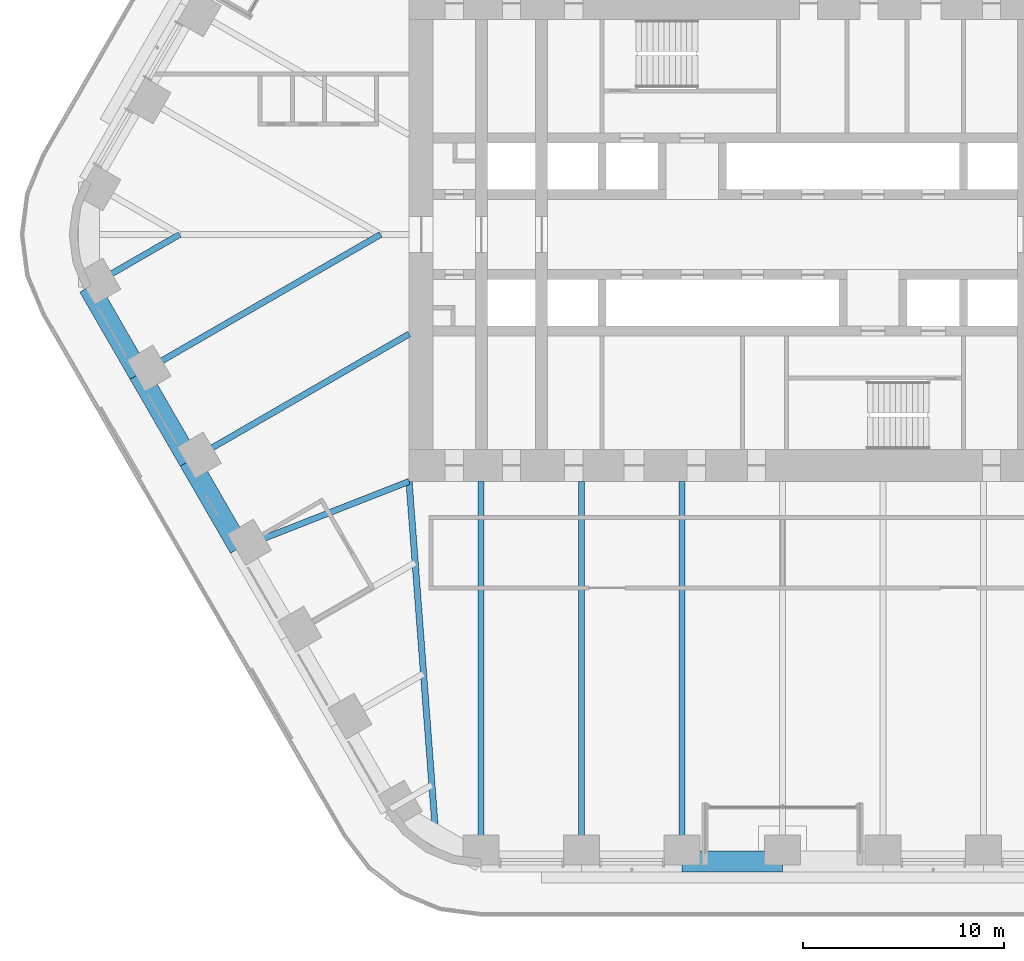
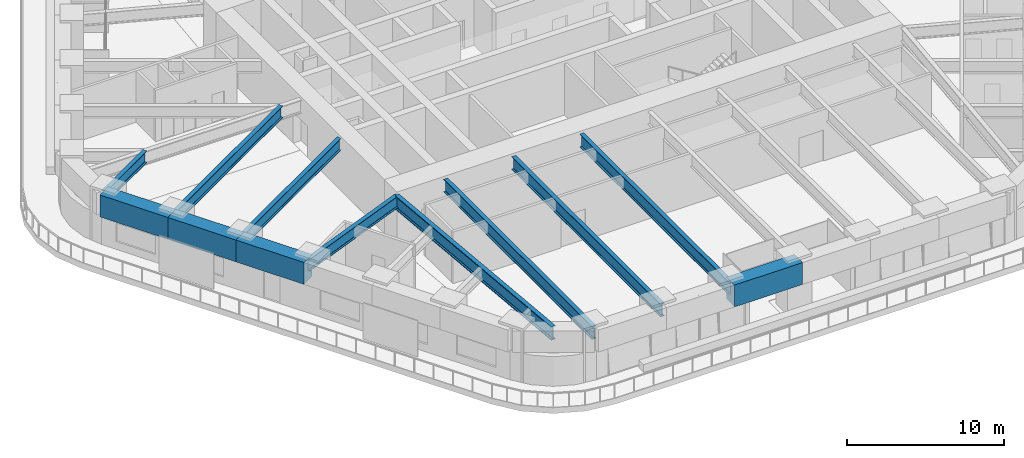
# One storey, part 3 of 24: 12 beams.
"""IFC4 building model written with IfcOpenShell, lengths in metres."""

from ifc_helpers import new_model, si_unit, direction, frame, origin, origin_2d, place, context, subcontext, project, spatial, rectangle, i_section, extrude, material, material_profile, profile_set, type_object, element, save


model = new_model("IFC4")

# Units and contexts
model_context = context("Model", 3, precision=1e-05, world=origin(), true_north=direction((0.0, 1.0)))
body_context = subcontext(model_context, "Body", "Model", "MODEL_VIEW")
ifc_project = project(units=[si_unit("LENGTHUNIT", "METRE"), si_unit("AREAUNIT", "SQUARE_METRE"), si_unit("VOLUMEUNIT", "CUBIC_METRE"), si_unit("PLANEANGLEUNIT", "RADIAN"), si_unit("MASSUNIT", "GRAM", prefix="KILO")], contexts=[model_context])

# Site, building, storey
site_placement = place(None, origin())
site = spatial("IfcSite", under=ifc_project, at=site_placement, CompositionType="ELEMENT")
building_placement = place(site_placement, origin())
building = spatial("IfcBuilding", under=site, at=building_placement, Name="Tarfa Lantern Tower", CompositionType="ELEMENT")
storey_placement = place(building_placement, frame((0.0, 0.0, 123.699951171875)))
storey = spatial("IfcBuildingStorey", under=building, at=storey_placement, Name="L27", CompositionType="ELEMENT", Elevation=123.699951171875)

# Beams
ifc_material_1 = material(Name="Concrete C80/95", Category="concrete")
ifc_material_profile_1 = material_profile(ifc_material_1, rectangle(XDim=1.050048828125, YDim=1.699951171875, at=origin_2d()), Name="RC 1050x1700")
ifc_profile_set_1 = profile_set([ifc_material_profile_1], Name="Concrete C80/95")
beam_type_1 = type_object("IfcBeamType", Name="RB2 RC 1050x1700", PredefinedType="BEAM", material=ifc_profile_set_1)
for number, where, z_axis, x_axis, name in (
    (1, (-34.54296875, -2.610107421875, 3.150146484375), (0.500022324899, -0.866012514114, 0.0), (0.866012514114, 0.500022324899, 0.0), "Edge beam SW0"),
    (2, (-32.041015625, -6.943359375, 3.150146484375), (0.500022324899, -0.866012514114, 0.0), (0.866012514114, 0.500022324899, 0.0), "Edge beam SW1"),
    (3, (-29.5390625, -11.276611328125, 3.150146484375), (0.499964603504, -0.866045838996, 0.0), (0.866045838996, 0.499964603504, 0.0), "Edge beam SW2"),
    (4, (-5.003662109375, -31.219970703125, 3.150146484375), (1.0, 0.0, 0.0), (0.0, 1.0, 0.0), "Edge beam S2"),
):
    element("IfcBeam", number, at=place(storey_placement, frame(where, z_axis=z_axis, x_axis=x_axis)), inside=storey, type_object=beam_type_1, Name=name, PredefinedType="BEAM", context=body_context, shape_type="SweptSolid", body=[
        extrude(rectangle(XDim=1.050048828125, YDim=1.699951171875, at=origin_2d()), origin(), (0.0, 0.0, 1.0), 5.003662109375),
    ])
ifc_material_2 = material(Name="Steel S460M", Category="steel")
ifc_material_profile_2 = material_profile(ifc_material_2, i_section(OverallWidth=0.302001953125, OverallDepth=1.008056640625, WebThickness=0.02099609375, FlangeThickness=0.0400390625, FilletRadius=0.030029296875, at=origin_2d()), Name="UB1016x305x349")
ifc_profile_set_2 = profile_set([ifc_material_profile_2], Name="Steel S460M")
beam_type_2 = type_object("IfcBeamType", Name="UB1016x305x349", PredefinedType="BEAM", material=ifc_profile_set_2)
for number, where, z_axis, x_axis, name in (
    (5, (-15.010986328125, -31.219970703125, 3.49609375), (0.0, 1.0, 0.0), (-1.0, 0.0, 0.0), "Floor beam S0"),
    (6, (-10.00732421875, -31.219970703125, 3.49609375), (0.0, 1.0, 0.0), (-1.0, 0.0, 0.0), "Floor beam S1"),
    (7, (-5.003662109375, -31.219970703125, 3.49609375), (0.0, 1.0, 0.0), (-1.0, 0.0, 0.0), "Floor beam S2"),
):
    element("IfcBeam", number, at=place(storey_placement, frame(where, z_axis=z_axis, x_axis=x_axis)), inside=storey, type_object=beam_type_2, Name=name, PredefinedType="BEAM", context=body_context, shape_type="SweptSolid", body=[
        extrude(i_section(OverallWidth=0.302001953125, OverallDepth=1.008056640625, WebThickness=0.02099609375, FlangeThickness=0.0400390625, FilletRadius=0.030029296875, at=origin_2d()), origin(), (0.0, 0.0, 1.0), 18.919921875),
    ])
ifc_material_profile_3 = material_profile(ifc_material_2, i_section(OverallWidth=0.314208984375, OverallDepth=1.055908203125, WebThickness=0.035888671875, FlangeThickness=0.06396484375, FilletRadius=0.030029296875, at=origin_2d()), Name="UB1016x305x584")
ifc_profile_set_3 = profile_set([ifc_material_profile_3], Name="Steel S460M")
beam_type_3 = type_object("IfcBeamType", Name="UB1016x305x584", PredefinedType="BEAM", material=ifc_profile_set_3)
beam_1_placement = place(storey_placement, frame((-18.60009765625, -12.300048828125, 3.47216796875), z_axis=(0.075211516041, -0.99716760269, 0.0), x_axis=(0.99716760269, 0.075211516041, 0.0)))
element("IfcBeam", 8, at=beam_1_placement, inside=storey, type_object=beam_type_3, Name="Hip girder SW", PredefinedType="BEAM", context=body_context, shape_type="SweptSolid", body=[
    extrude(i_section(OverallWidth=0.314208984375, OverallDepth=1.055908203125, WebThickness=0.035888671875, FlangeThickness=0.06396484375, FilletRadius=0.030029296875, at=origin_2d()), origin(), (0.0, 0.0, 1.0), 17.6650390625),
])
ifc_material_profile_4 = material_profile(ifc_material_2, i_section(OverallWidth=0.305419921875, OverallDepth=0.91845703125, WebThickness=0.017333984375, FlangeThickness=0.02783203125, FilletRadius=0.01904296875, at=origin_2d()), Name="UB914x305x253")
ifc_profile_set_4 = profile_set([ifc_material_profile_4], Name="Steel S460M")
beam_type_4 = type_object("IfcBeamType", Name="UB914x305x253", PredefinedType="BEAM", material=ifc_profile_set_4)
beam_2_placement = place(storey_placement, frame((-34.54296875, -2.610107421875, 3.540771484375), z_axis=(0.866021250859, 0.500007193008, 0.0), x_axis=(-0.500007193008, 0.866021250859, 0.0)))
element("IfcBeam", 9, at=beam_2_placement, inside=storey, type_object=beam_type_4, Name="Floor beam SW0", PredefinedType="BEAM", context=body_context, shape_type="SweptSolid", body=[
    extrude(i_section(OverallWidth=0.305419921875, OverallDepth=0.91845703125, WebThickness=0.017333984375, FlangeThickness=0.02783203125, FilletRadius=0.01904296875, at=origin_2d()), origin(), (0.0, 0.0, 1.0), 5.22021484375),
])
beam_3_placement = place(storey_placement, frame((-32.041015625, -6.943359375, 3.540771484375), z_axis=(0.866023096411, 0.500003996466, 0.0), x_axis=(-0.500003996466, 0.866023096411, 0.0)))
element("IfcBeam", 10, at=beam_3_placement, inside=storey, type_object=beam_type_4, Name="Floor beam SW1", PredefinedType="BEAM", context=body_context, shape_type="SweptSolid", body=[
    extrude(i_section(OverallWidth=0.305419921875, OverallDepth=0.91845703125, WebThickness=0.017333984375, FlangeThickness=0.02783203125, FilletRadius=0.01904296875, at=origin_2d()), origin(), (0.0, 0.0, 1.0), 13.88671875),
])
beam_4_placement = place(storey_placement, frame((-29.5390625, -11.276611328125, 3.540771484375), z_axis=(0.866023362995, 0.500003534735, 0.0), x_axis=(-0.500003534735, 0.866023362995, 0.0)))
element("IfcBeam", 11, at=beam_4_placement, inside=storey, type_object=beam_type_4, Name="Floor beam SW2", PredefinedType="BEAM", context=body_context, shape_type="SweptSolid", body=[
    extrude(i_section(OverallWidth=0.305419921875, OverallDepth=0.91845703125, WebThickness=0.017333984375, FlangeThickness=0.02783203125, FilletRadius=0.01904296875, at=origin_2d()), origin(), (0.0, 0.0, 1.0), 12.63134765625),
])
beam_5_placement = place(storey_placement, frame((-27.037353515625, -15.610107421875, 3.540771484375), z_axis=(0.930923282782, 0.365214788274, 0.0), x_axis=(-0.365214788274, 0.930923282782, 0.0)))
element("IfcBeam", 12, at=beam_5_placement, inside=storey, type_object=beam_type_4, Name="Floor beam SW3", PredefinedType="BEAM", context=body_context, shape_type="SweptSolid", body=[
    extrude(i_section(OverallWidth=0.305419921875, OverallDepth=0.91845703125, WebThickness=0.017333984375, FlangeThickness=0.02783203125, FilletRadius=0.01904296875, at=origin_2d()), origin(), (0.0, 0.0, 1.0), 9.063232421875),
])

save(model, "model.ifc")
